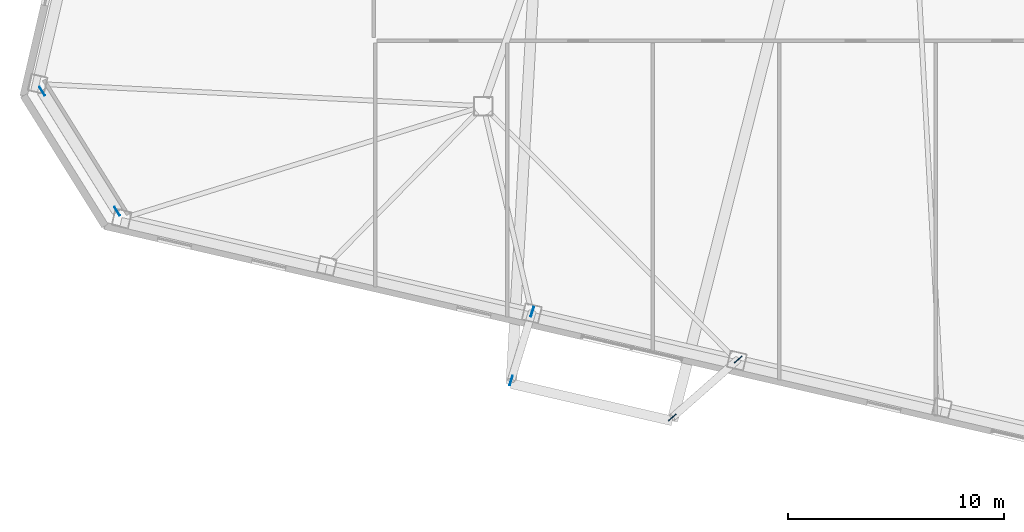
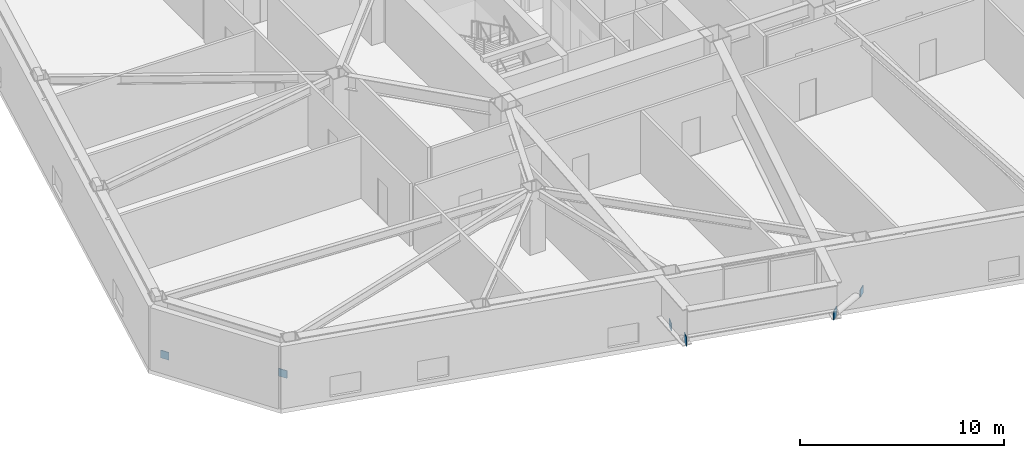
# One storey, part 15 of 20: 6 discrete accessories.
"""IFC4 building model written with IfcOpenShell, lengths in metres."""

import ifcopenshell
import ifcopenshell.guid

model = None  # the IFC model being written
_history = None  # IfcOwnerHistory: only IFC2X3 demands one
_inside = {}  # id of a spatial element -> (the spatial element, [elements in it])
_under = {}  # id of a project, library or spatial element -> (it, [spatial elements below it])
_declared = {}  # id of a project -> (the project, [libraries it declares])
_typed = {}  # id of a type object -> (the type object, [elements of that type])
_made_of = {}  # id of a material, layer set ... -> (it, [elements and type objects made of it])


def new_model(schema):
    """Start an empty IFC model of exactly this schema.

    Asked for "IFC4X3", IfcOpenShell would pick the latest addendum, in which some entities
    have other attributes; the version numbers below select the first issue.
    IFC2X3 requires an IfcOwnerHistory on every rooted entity: one is made here for all.
    """
    global model, _history
    if schema == "IFC4X3":
        model = ifcopenshell.file(schema_version=(4, 3, 0, 0))
    else:
        model = ifcopenshell.file(schema=schema)
    _inside.clear()
    _under.clear()
    _declared.clear()
    _typed.clear()
    _made_of.clear()
    _history = None
    if model.schema == "IFC2X3":
        org = make("IfcOrganization", Name="unknown")
        user = make(
            "IfcPersonAndOrganization",
            ThePerson=make("IfcPerson", FamilyName="unknown"),
            TheOrganization=org,
        )
        app = make(
            "IfcApplication",
            ApplicationDeveloper=org,
            Version="unknown",
            ApplicationFullName="unknown",
            ApplicationIdentifier="unknown",
        )
        _history = make(
            "IfcOwnerHistory",
            OwningUser=user,
            OwningApplication=app,
            ChangeAction="ADDED",
            CreationDate=0,
        )
    return model


def make(cls, **values):
    """One entity of the class cls with the attributes given. An attribute that is None is left unset."""
    return model.create_entity(
        cls, **{name: value for name, value in values.items() if value is not None}
    )


def rooted(cls, **values):
    """An entity with a GlobalId (a new one), such as an element, a storey or a relation."""
    return make(cls, GlobalId=ifcopenshell.guid.new(), OwnerHistory=_history, **values)


def si_unit(unit_type, name, prefix=None):
    """IfcSIUnit, for example si_unit("LENGTHUNIT", "METRE", prefix="MILLI")."""
    return make("IfcSIUnit", UnitType=unit_type, Prefix=prefix, Name=name)


def assignment(units):
    """IfcUnitAssignment: the units of a project."""
    return None if units is None else make("IfcUnitAssignment", Units=units)


def point(xyz):
    """IfcCartesianPoint."""
    return None if xyz is None else make("IfcCartesianPoint", Coordinates=xyz)


def direction(xyz):
    """IfcDirection."""
    return None if xyz is None else make("IfcDirection", DirectionRatios=xyz)


def frame(location, z_axis=None, x_axis=None):
    """IfcAxis2Placement3D, a coordinate frame: its origin and axes. An axis left out is left unset."""
    return make(
        "IfcAxis2Placement3D",
        Location=point(location),
        Axis=direction(z_axis),
        RefDirection=direction(x_axis),
    )


def frame_2d(location, x_axis=None):
    """IfcAxis2Placement2D, a coordinate frame in the plane: its origin and x axis."""
    return make(
        "IfcAxis2Placement2D", Location=point(location), RefDirection=direction(x_axis)
    )


def origin():
    """The frame at (0, 0, 0) with its axes left unset."""
    return frame((0.0, 0.0, 0.0))


def origin_2d():
    """The frame at (0, 0) in the plane with its x axis left unset."""
    return frame_2d((0.0, 0.0))


def place(relative_to, where):
    """IfcLocalPlacement: puts the frame where relative to a parent placement (None: the world)."""
    return make(
        "IfcLocalPlacement", PlacementRelTo=relative_to, RelativePlacement=where
    )


def context(
    kind, dimensions, precision=None, world=None, true_north=None, identifier=None
):
    """IfcGeometricRepresentationContext, for example the 3D "Model" context."""
    return make(
        "IfcGeometricRepresentationContext",
        ContextIdentifier=identifier,
        ContextType=kind,
        CoordinateSpaceDimension=dimensions,
        Precision=precision,
        WorldCoordinateSystem=world,
        TrueNorth=true_north,
    )


def subcontext(parent, identifier, kind, view, scale=None):
    """IfcGeometricRepresentationSubContext, for example "Body" below "Model"."""
    return make(
        "IfcGeometricRepresentationSubContext",
        ContextIdentifier=identifier,
        ContextType=kind,
        ParentContext=parent,
        TargetScale=scale,
        TargetView=view,
    )


def project(units=None, contexts=None):
    """IfcProject with its units and contexts."""
    return rooted(
        "IfcProject",
        Name="project",
        RepresentationContexts=contexts,
        UnitsInContext=assignment(units),
    )


def spatial(cls, under=None, at=None, **own):
    """A site, building, storey or space (cls), placed at a placement, below another one or the project."""
    s = rooted(cls, ObjectPlacement=at, **own)
    if under is not None:
        _under.setdefault(under.id(), (under, []))[1].append(s)
    return s


def profile(cls, at=None, kind="AREA", **sizes):
    """A parametric profile (cls). Its sizes go by their IFC names, for example OverallWidth=200.0."""
    return make(cls, ProfileType=kind, Position=at, **sizes)


def rectangle(**sizes):
    """IfcRectangleProfileDef."""
    return profile("IfcRectangleProfileDef", **sizes)


def extrude(swept, where, along, depth):
    """IfcExtrudedAreaSolid: the profile swept, set in the frame where, extruded along a direction by depth."""
    return make(
        "IfcExtrudedAreaSolid",
        SweptArea=swept,
        Position=where,
        ExtrudedDirection=direction(along),
        Depth=depth,
    )


def shape(context_of_items, identifier, shape_type, items):
    """IfcShapeRepresentation: the items that make up one representation, for example the "Body"."""
    return make(
        "IfcShapeRepresentation",
        ContextOfItems=context_of_items,
        RepresentationIdentifier=identifier,
        RepresentationType=shape_type,
        Items=items,
    )


def material(Name=None, Category=None):
    """IfcMaterial."""
    return make("IfcMaterial", Name=Name, Category=Category)


def made_of(thing, what):
    """Note that an element or type object is made of a material, layer set ...; save() writes the relation."""
    if what is not None:
        _made_of.setdefault(what.id(), (what, []))[1].append(thing)
    return thing


def type_object(cls, material=None, **own):
    """A type object (cls), such as IfcWallType, which elements share."""
    return made_of(rooted(cls, **own), material)


def element(
    cls,
    number,
    at=None,
    inside=None,
    cuts=None,
    type_object=None,
    material=None,
    context=None,
    identifier="Body",
    shape_type=None,
    held_by="IfcProductDefinitionShape",
    body=None,
    shapes=None,
    **own,
):
    """One element of the class cls, such as IfcWall. Its Tag is "e" and its number.

    at: its placement. inside: the storey or other place that contains it. cuts: it is an
    opening in that element (IfcRelVoidsElement). A single representation is given by context,
    identifier, shape_type and body (its items); several are given by shapes. held_by: the class
    of the entity that holds the representations. save() writes the other relations.
    """
    e = rooted(cls, Tag="e%d" % number, ObjectPlacement=at, **own)
    if body is not None:
        shapes = [shape(context, identifier, shape_type, body)]
    if shapes is not None:
        e.Representation = make(held_by, Representations=shapes)
    if inside is not None:
        _inside.setdefault(inside.id(), (inside, []))[1].append(e)
    if cuts is not None:
        rooted(
            "IfcRelVoidsElement", RelatingBuildingElement=cuts, RelatedOpeningElement=e
        )
    if type_object is not None:
        _typed.setdefault(type_object.id(), (type_object, []))[1].append(e)
    return made_of(e, material)


def aggregate(whole, parts):
    """IfcRelAggregates: a whole, such as a stair, and the parts it consists of."""
    return rooted("IfcRelAggregates", RelatingObject=whole, RelatedObjects=parts)


def save(model, path):
    """Write the relations noted so far, then the file.

    IfcRelAggregates (storeys below a building ...), IfcRelContainedInSpatialStructure (elements
    in a storey), IfcRelDefinesByType, IfcRelAssociatesMaterial and IfcRelDeclares: one each for
    every whole, place, type object, material and project.
    """
    for whole, parts in _under.values():
        aggregate(whole, parts)
    for where, things in _inside.values():
        rooted(
            "IfcRelContainedInSpatialStructure",
            RelatedElements=things,
            RelatingStructure=where,
        )
    for kind, things in _typed.values():
        rooted("IfcRelDefinesByType", RelatedObjects=things, RelatingType=kind)
    for what, things in _made_of.values():
        rooted("IfcRelAssociatesMaterial", RelatedObjects=things, RelatingMaterial=what)
    for by, libraries in _declared.values():
        rooted("IfcRelDeclares", RelatingContext=by, RelatedDefinitions=libraries)
    model.write(path)


model = new_model("IFC4")

# Units and contexts
model_context = context("Model", 3, precision=1e-05, world=origin(), true_north=direction((0.0, 1.0)))
body_context = subcontext(model_context, "Body", "Model", "MODEL_VIEW")
ifc_project = project(units=[si_unit("LENGTHUNIT", "METRE"), si_unit("AREAUNIT", "SQUARE_METRE"), si_unit("VOLUMEUNIT", "CUBIC_METRE"), si_unit("PLANEANGLEUNIT", "RADIAN"), si_unit("MASSUNIT", "GRAM", prefix="KILO")], contexts=[model_context])

# Site, building, storey
site_placement = place(None, origin())
site = spatial("IfcSite", under=ifc_project, at=site_placement, CompositionType="ELEMENT")
building_placement = place(site_placement, origin())
building = spatial("IfcBuilding", under=site, at=building_placement, Name="Tavrogorsk Clinical Tower", CompositionType="ELEMENT")
storey_placement = place(building_placement, frame((0.0, 0.0, 39.39990234375)))
storey = spatial("IfcBuildingStorey", under=building, at=storey_placement, Name="L07", CompositionType="ELEMENT", Elevation=39.39990234375)

# Discrete accessories
ifc_material = material(Name="Structural steel S440", Category="steel")
discrete_accessory_type = type_object("IfcDiscreteAccessoryType", Name="GussetPlateBracket_25", PredefinedType="BRACKET", material=ifc_material)
for number, where, z_axis, x_axis, name in (
    (1, (-44.934814453125, -12.510986328125, 0.13525390625), (0.0, 0.0, 1.0), (0.529919264233, -0.848048096156, 0.0), "L07 Brace Gusset Plate EXOCRN-L07-4-A"),
    (2, (-41.46484375, -18.064453125, 1.195068359375), (0.0, 0.0, 1.0), (0.529919264233, -0.848048096156, 0.0), "L07 Brace Gusset Plate EXOCRN-L07-4-B"),
    (3, (-22.232177734375, -22.721435546875, 0.189208984375), (0.0, 0.0, 1.0), (-0.293873503404, -0.955844319959, 0.0), "L07 Brace Gusset Plate DRB-01-STRUT-L-L08-A"),
):
    element("IfcDiscreteAccessory", number, at=place(storey_placement, frame(where, z_axis=z_axis, x_axis=x_axis)), inside=storey, type_object=discrete_accessory_type, Name=name, PredefinedType="BRACKET", context=body_context, shape_type="SweptSolid", body=[
        extrude(rectangle(XDim=0.4599609375, YDim=0.0400390625, at=origin_2d()), origin(), (0.0, 0.0, 1.0), 0.4599609375),
    ])
discrete_accessory_1_placement = place(storey_placement, frame((-23.212158203125, -25.90966796875, 1.541015625), z_axis=(0.0, 0.0, 1.0), x_axis=(-0.293873503404, -0.955844319959, 0.0)))
element("IfcDiscreteAccessory", 4, at=discrete_accessory_1_placement, inside=storey, type_object=discrete_accessory_type, Name="L07 Brace Gusset Plate DRB-01-STRUT-L-L08-B", PredefinedType="BRACKET", context=body_context, shape_type="SweptSolid", body=[
    extrude(rectangle(XDim=0.4599609375, YDim=0.0400390625, at=origin_2d()), origin(), (0.0, 0.0, 1.0), 0.56005859375),
])
discrete_accessory_2_placement = place(storey_placement, frame((-12.698486328125, -24.934814453125, 0.194091796875), z_axis=(0.0, 0.0, 1.0), x_axis=(-0.749995637512, -0.66144277433, 0.0)))
element("IfcDiscreteAccessory", 5, at=discrete_accessory_2_placement, inside=storey, type_object=discrete_accessory_type, Name="L07 Brace Gusset Plate DRB-01-STRUT-R-L08-A", PredefinedType="BRACKET", context=body_context, shape_type="SweptSolid", body=[
    extrude(rectangle(XDim=0.4599609375, YDim=0.0400390625, at=origin_2d()), origin(), (0.0, 0.0, 1.0), 0.4599609375),
])
discrete_accessory_3_placement = place(storey_placement, frame((-15.74462890625, -27.62158203125, 1.535888671875), z_axis=(0.0, 0.0, 1.0), x_axis=(-0.749995637512, -0.66144277433, 0.0)))
element("IfcDiscreteAccessory", 6, at=discrete_accessory_3_placement, inside=storey, type_object=discrete_accessory_type, Name="L07 Brace Gusset Plate DRB-01-STRUT-R-L08-B", PredefinedType="BRACKET", context=body_context, shape_type="SweptSolid", body=[
    extrude(rectangle(XDim=0.4599609375, YDim=0.0400390625, at=origin_2d()), origin(), (0.0, 0.0, 1.0), 0.56005859375),
])

save(model, "model.ifc")
